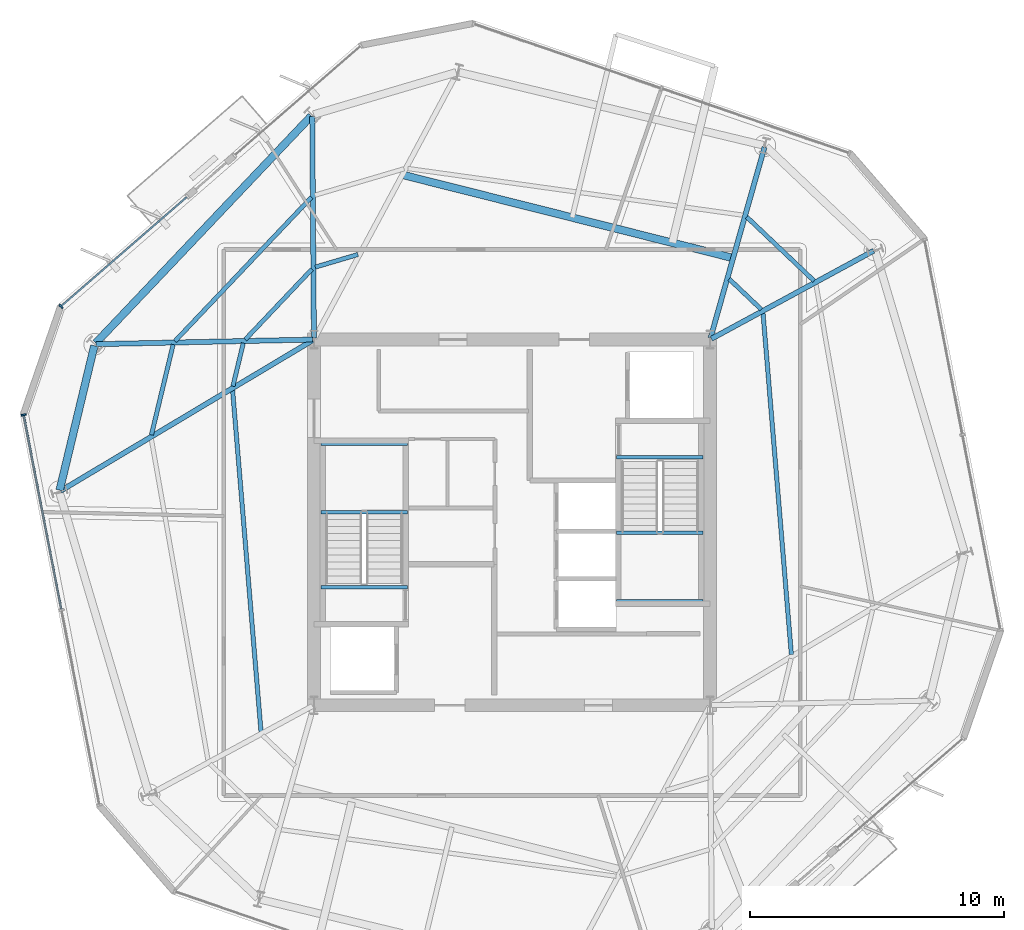
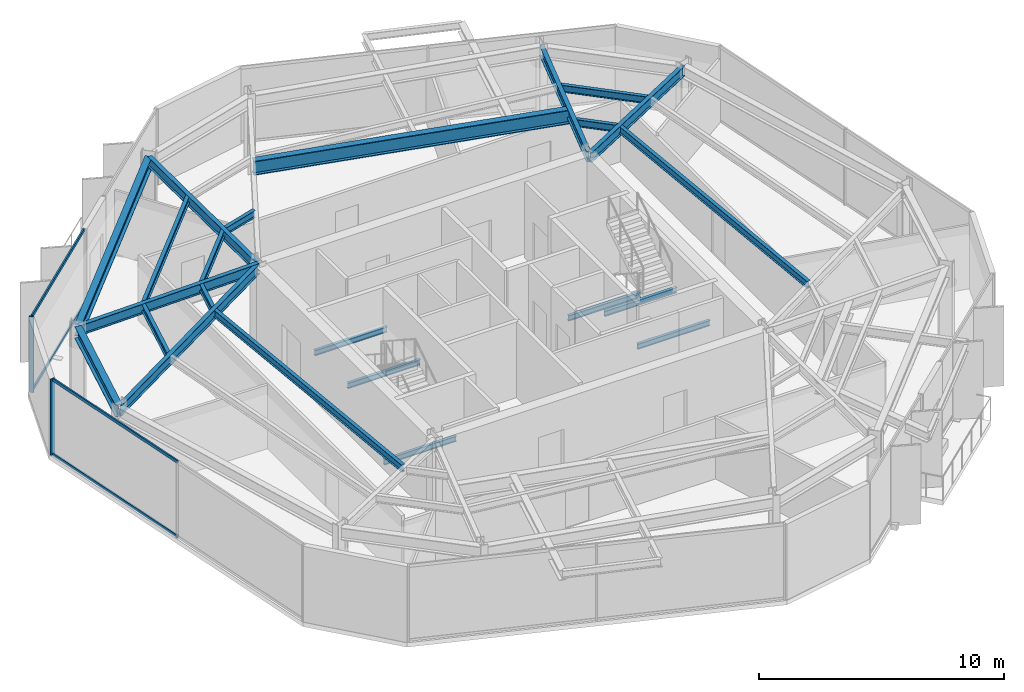
# One storey, part 3 of 11: 23 beams, 6 members, 2 elements without a shape of their own.
"""IFC4 building model written with IfcOpenShell, lengths in metres."""

from ifc_helpers import new_model, si_unit, direction, frame, origin, origin_2d, place, context, subcontext, project, spatial, rectangle, i_section, extrude, material, layer, layer_set, material_profile, profile_set, type_object, element, aggregate, save


model = new_model("IFC4")

# Units and contexts
model_context = context("Model", 3, precision=1e-05, world=origin(), true_north=direction((0.0, 1.0)))
body_context = subcontext(model_context, "Body", "Model", "MODEL_VIEW")
ifc_project = project(units=[si_unit("LENGTHUNIT", "METRE"), si_unit("AREAUNIT", "SQUARE_METRE"), si_unit("VOLUMEUNIT", "CUBIC_METRE"), si_unit("PLANEANGLEUNIT", "RADIAN"), si_unit("MASSUNIT", "GRAM", prefix="KILO")], contexts=[model_context])

# Site, building, storey
site_placement = place(None, origin())
site = spatial("IfcSite", under=ifc_project, at=site_placement, CompositionType="ELEMENT")
building_placement = place(site_placement, origin())
building = spatial("IfcBuilding", under=site, at=building_placement, Name="Kranzbogen Civic Tower", CompositionType="ELEMENT")
storey_placement = place(building_placement, frame((0.0, 0.0, 188.800048828125)))
storey = spatial("IfcBuildingStorey", under=building, at=storey_placement, Name="L45", CompositionType="ELEMENT", Elevation=188.800048828125)

# Curtain wall, member
ifc_material_1 = material(Name="Pale Anodised Aluminium", Category="aluminium")
ifc_layer = layer(ifc_material_1, 0.219970703125, Name="Pale Anodised Aluminium")
ifc_layer_set = layer_set([ifc_layer], Name="Pale Anodised Aluminium")
curtain_wall_type = type_object("IfcCurtainWallType", Name="Zone 3 Stick Curtain Wall System CW-04", PredefinedType="USERDEFINED", material=ifc_layer_set)
curtain_wall_1_placement = place(storey_placement, origin())
curtain_wall_1 = element("IfcCurtainWall", 1, at=curtain_wall_1_placement, inside=storey, type_object=curtain_wall_type, Name="L45 curtain wall CW-L45-F2-S2", ObjectType="STICK CURTAIN WALL", PredefinedType="USERDEFINED")
ifc_material_profile_1 = material_profile(ifc_material_1, rectangle(XDim=0.070068359375, YDim=0.199951171875, at=origin_2d()), Name="ALU-M 70x200")
ifc_profile_set_1 = profile_set([ifc_material_profile_1], Name="Pale Anodised Aluminium")
member_type_1 = type_object("IfcMemberType", Name="Curtain Wall Mullion ALU-M 70x200", PredefinedType="MULLION", material=ifc_profile_set_1)
member_1_placement = place(storey_placement, frame((7.238525390625, 33.505615234375, 0.0), z_axis=(0.0, 0.0, 1.0), x_axis=(-0.754741368162, -0.65602245936, 0.0)))
member_1 = element("IfcMember", 2, at=member_1_placement, type_object=member_type_1, Name="CW-04 mullion 2", PredefinedType="MULLION", context=body_context, shape_type="SweptSolid", body=[
    extrude(rectangle(XDim=0.070068359375, YDim=0.199951171875, at=origin_2d()), origin(), (0.0, 0.0, 1.0), 3.780029296875),
])

curtain_wall_2_placement = place(storey_placement, origin())
curtain_wall_2 = element("IfcCurtainWall", 3, at=curtain_wall_2_placement, inside=storey, type_object=curtain_wall_type, Name="L45 curtain wall CW-L45-F3", ObjectType="STICK CURTAIN WALL", PredefinedType="USERDEFINED")
member_2_placement = place(storey_placement, frame((5.767822265625, 29.232666015625, 0.0), z_axis=(0.0, 0.0, 1.0), x_axis=(0.190787871215, -0.981631289333, 0.0)))
member_2 = element("IfcMember", 4, at=member_2_placement, type_object=member_type_1, Name="CW-04 mullion 1", PredefinedType="MULLION", context=body_context, shape_type="SweptSolid", body=[
    extrude(rectangle(XDim=0.070068359375, YDim=0.199951171875, at=origin_2d()), origin(), (0.0, 0.0, 1.0), 3.780029296875),
])

# Member
ifc_material_profile_2 = material_profile(ifc_material_1, rectangle(XDim=0.070068359375, YDim=0.14990234375, at=origin_2d()), Name="ALU-T 70x150")
ifc_profile_set_2 = profile_set([ifc_material_profile_2], Name="Pale Anodised Aluminium")
member_type_2 = type_object("IfcMemberType", Name="Curtain Wall Transom ALU-T 70x150", PredefinedType="USERDEFINED", material=ifc_profile_set_2)
member_3_placement = place(storey_placement, frame((12.193603515625, 37.812744140625, 0.030029296875), z_axis=(-0.754731775438, -0.656033495444, 0.0), x_axis=(0.656033495444, -0.754731775438, 0.0)))
member_3 = element("IfcMember", 5, at=member_3_placement, type_object=member_type_2, Name="CW-04 transom 1.1", ObjectType="TRANSOM", PredefinedType="USERDEFINED", context=body_context, shape_type="SweptSolid", body=[
    extrude(rectangle(XDim=0.070068359375, YDim=0.14990234375, at=origin_2d()), origin(), (0.0, 0.0, 1.0), 6.53515625),
])

member_4_placement = place(storey_placement, frame((12.193603515625, 37.812744140625, 3.75), z_axis=(-0.754731775438, -0.656033495444, 0.0), x_axis=(0.656033495444, -0.754731775438, 0.0)))
member_4 = element("IfcMember", 6, at=member_4_placement, type_object=member_type_2, Name="CW-04 transom 1.2", ObjectType="TRANSOM", PredefinedType="USERDEFINED", context=body_context, shape_type="SweptSolid", body=[
    extrude(rectangle(XDim=0.070068359375, YDim=0.14990234375, at=origin_2d()), origin(), (0.0, 0.0, 1.0), 6.53515625),
])

aggregate(curtain_wall_1, [member_1, member_3, member_4])

member_5_placement = place(storey_placement, frame((5.7734375, 29.203125, 0.030029296875), z_axis=(0.190804011394, -0.981628152223, 0.0), x_axis=(0.981628152223, 0.190804011394, 0.0)))
member_5 = element("IfcMember", 7, at=member_5_placement, type_object=member_type_2, Name="CW-04 transom 1.1", ObjectType="TRANSOM", PredefinedType="USERDEFINED", context=body_context, shape_type="SweptSolid", body=[
    extrude(rectangle(XDim=0.070068359375, YDim=0.14990234375, at=origin_2d()), origin(), (0.0, 0.0, 1.0), 7.76416015625),
])

member_6_placement = place(storey_placement, frame((5.7734375, 29.203125, 3.75), z_axis=(0.190804011394, -0.981628152223, 0.0), x_axis=(0.981628152223, 0.190804011394, 0.0)))
member_6 = element("IfcMember", 8, at=member_6_placement, type_object=member_type_2, Name="CW-04 transom 1.2", ObjectType="TRANSOM", PredefinedType="USERDEFINED", context=body_context, shape_type="SweptSolid", body=[
    extrude(rectangle(XDim=0.070068359375, YDim=0.14990234375, at=origin_2d()), origin(), (0.0, 0.0, 1.0), 7.76416015625),
])

aggregate(curtain_wall_2, [member_2, member_5, member_6])

# Beams
ifc_material_2 = material(Name="Steel S355", Category="steel")
ifc_material_profile_3 = material_profile(ifc_material_2, i_section(OverallWidth=0.300048828125, OverallDepth=0.60009765625, WebThickness=0.015380859375, FlangeThickness=0.030029296875, at=origin_2d()), Name="HEB 600")
ifc_profile_set_3 = profile_set([ifc_material_profile_3], Name="Steel S355")
beam_type_1 = type_object("IfcBeamType", Name="Perimeter Tube Spandrel Beam HEB 600", PredefinedType="SPANDREL", material=ifc_profile_set_3)
beam_1_placement = place(storey_placement, frame((17.092041015625, 41.0, 3.47998046875), z_axis=(-0.688373497874, -0.725356414065, 0.0), x_axis=(0.725356414065, -0.688373497874, 0.0)))
element("IfcBeam", 9, at=beam_1_placement, inside=storey, type_object=beam_type_1, Name="L45 perimeter spandrel beam 10", PredefinedType="SPANDREL", context=body_context, shape_type="SweptSolid", body=[
    extrude(i_section(OverallWidth=0.300048828125, OverallDepth=0.60009765625, WebThickness=0.015380859375, FlangeThickness=0.030029296875, at=origin_2d()), origin(), (0.0, 0.0, 1.0), 12.324951171875),
])
beam_2_placement = place(storey_placement, frame((8.552978515625, 31.9580078125, 3.47998046875), z_axis=(-0.233554380434, -0.972343741369, 0.0), x_axis=(0.972343741369, -0.233554380434, 0.0)))
element("IfcBeam", 10, at=beam_2_placement, inside=storey, type_object=beam_type_1, Name="L45 perimeter spandrel beam 11", PredefinedType="SPANDREL", context=body_context, shape_type="SweptSolid", body=[
    extrude(i_section(OverallWidth=0.300048828125, OverallDepth=0.60009765625, WebThickness=0.015380859375, FlangeThickness=0.030029296875, at=origin_2d()), origin(), (0.0, 0.0, 1.0), 5.852783203125),
])
ifc_material_profile_4 = material_profile(ifc_material_2, i_section(OverallWidth=0.300048828125, OverallDepth=0.699951171875, WebThickness=0.01708984375, FlangeThickness=0.031982421875, at=origin_2d()), Name="HEB 700")
ifc_profile_set_4 = profile_set([ifc_material_profile_4], Name="Steel S355")
beam_type_2 = type_object("IfcBeamType", Name="Perimeter Tube Spandrel Beam HEB 700", PredefinedType="SPANDREL", material=ifc_profile_set_4)
beam_3_placement = place(storey_placement, frame((33.7080078125, 35.408935546875, 3.39990234375), z_axis=(-0.969754167823, 0.244083702834, 0.0), x_axis=(-0.244083702834, -0.969754167823, 0.0)))
element("IfcBeam", 11, at=beam_3_placement, inside=storey, type_object=beam_type_2, Name="L46 balcony back-span header girder L46-TB1", PredefinedType="SPANDREL", context=body_context, shape_type="SweptSolid", body=[
    extrude(i_section(OverallWidth=0.300048828125, OverallDepth=0.699951171875, WebThickness=0.01708984375, FlangeThickness=0.031982421875, at=origin_2d()), origin(), (0.0, 0.0, 1.0), 13.43017578125),
])
ifc_material_profile_5 = material_profile(ifc_material_2, i_section(OverallWidth=0.199951171875, OverallDepth=0.5, WebThickness=0.01025390625, FlangeThickness=0.01611328125, at=origin_2d()), Name="IPE 500")
ifc_profile_set_5 = profile_set([ifc_material_profile_5], Name="Steel S355")
beam_type_3 = type_object("IfcBeamType", Name="Radial Tower Floor Girder IPE 500", PredefinedType="BEAM", material=ifc_profile_set_5)
beam_4_placement = place(storey_placement, frame((39.239990234375, 35.695068359375, 3.530029296875), z_axis=(-0.878919430102, -0.476970266777, 0.0), x_axis=(0.476970266777, -0.878919430102, 0.0)))
element("IfcBeam", 12, at=beam_4_placement, inside=storey, type_object=beam_type_3, Name="L45 radial floor girder 07", PredefinedType="BEAM", context=body_context, shape_type="SweptSolid", body=[
    extrude(i_section(OverallWidth=0.199951171875, OverallDepth=0.5, WebThickness=0.01025390625, FlangeThickness=0.01611328125, at=origin_2d()), origin(), (0.0, 0.0, 1.0), 7.266845703125),
])
beam_5_placement = place(storey_placement, frame((34.945068359375, 39.777099609375, 3.530029296875), z_axis=(-0.272455078988, -0.962168503919, 0.0), x_axis=(0.962168503919, -0.272455078988, 0.0)))
element("IfcBeam", 13, at=beam_5_placement, inside=storey, type_object=beam_type_3, Name="L45 radial floor girder 08", PredefinedType="BEAM", context=body_context, shape_type="SweptSolid", body=[
    extrude(i_section(OverallWidth=0.199951171875, OverallDepth=0.5, WebThickness=0.01025390625, FlangeThickness=0.01611328125, at=origin_2d()), origin(), (0.0, 0.0, 1.0), 7.814697265625),
])
beam_6_placement = place(storey_placement, frame((17.133056640625, 40.98388671875, 3.530029296875), z_axis=(0.007667756557, -0.999970602323, 0.0), x_axis=(0.999970602323, 0.007667756557, 0.0)))
element("IfcBeam", 14, at=beam_6_placement, inside=storey, type_object=beam_type_3, Name="L45 radial floor girder 10", PredefinedType="BEAM", context=body_context, shape_type="SweptSolid", body=[
    extrude(i_section(OverallWidth=0.199951171875, OverallDepth=0.5, WebThickness=0.01025390625, FlangeThickness=0.01611328125, at=origin_2d()), origin(), (0.0, 0.0, 1.0), 8.72412109375),
])
beam_7_placement = place(storey_placement, frame((8.626953125, 32.01708984375, 3.530029296875), z_axis=(0.99977183191, 0.021360808018, 0.0), x_axis=(-0.021360808018, 0.99977183191, 0.0)))
element("IfcBeam", 15, at=beam_7_placement, inside=storey, type_object=beam_type_3, Name="L45 radial floor girder 11", PredefinedType="BEAM", context=body_context, shape_type="SweptSolid", body=[
    extrude(i_section(OverallWidth=0.199951171875, OverallDepth=0.5, WebThickness=0.01025390625, FlangeThickness=0.01611328125, at=origin_2d()), origin(), (0.0, 0.0, 1.0), 8.514892578125),
])
beam_8_placement = place(storey_placement, frame((7.22412109375, 26.239990234375, 3.530029296875), z_axis=(0.858458551809, 0.512882944565, 0.0), x_axis=(-0.512882944565, 0.858458551809, 0.0)))
element("IfcBeam", 16, at=beam_8_placement, inside=storey, type_object=beam_type_3, Name="L45 radial floor girder 12", PredefinedType="BEAM", context=body_context, shape_type="SweptSolid", body=[
    extrude(i_section(OverallWidth=0.199951171875, OverallDepth=0.5, WebThickness=0.01025390625, FlangeThickness=0.01611328125, at=origin_2d()), origin(), (0.0, 0.0, 1.0), 11.56005859375),
])
ifc_material_profile_6 = material_profile(ifc_material_2, i_section(OverallWidth=0.169921875, OverallDepth=0.360107421875, WebThickness=0.008056640625, FlangeThickness=0.0126953125, at=origin_2d()), Name="IPE 360")
ifc_profile_set_6 = profile_set([ifc_material_profile_6], Name="Steel S355")
beam_type_4 = type_object("IfcBeamType", Name="Secondary Composite Floor Joist IPE 360", PredefinedType="JOIST", material=ifc_profile_set_6)
beam_9_placement = place(storey_placement, frame((36.001953125, 19.797119140625, 3.599853515625), z_axis=(-0.082825426692, 0.996564071544, 0.0), x_axis=(-0.996564071544, -0.082825426692, 0.0)))
element("IfcBeam", 17, at=beam_9_placement, inside=storey, type_object=beam_type_4, Name="L45 secondary floor joist 2.06", PredefinedType="JOIST", context=body_context, shape_type="SweptSolid", body=[
    extrude(i_section(OverallWidth=0.169921875, OverallDepth=0.360107421875, WebThickness=0.008056640625, FlangeThickness=0.0126953125, at=origin_2d()), origin(), (0.0, 0.0, 1.0), 13.497314453125),
])
beam_10_placement = place(storey_placement, frame((36.89697265625, 34.510009765625, 3.599853515625), z_axis=(-0.725300648604, 0.688432254572, 0.0), x_axis=(-0.688432254572, -0.725300648604, 0.0)))
element("IfcBeam", 18, at=beam_10_placement, inside=storey, type_object=beam_type_4, Name="L45 secondary floor joist 1.07", PredefinedType="JOIST", context=body_context, shape_type="SweptSolid", body=[
    extrude(i_section(OverallWidth=0.169921875, OverallDepth=0.360107421875, WebThickness=0.008056640625, FlangeThickness=0.0126953125, at=origin_2d()), origin(), (0.0, 0.0, 1.0), 3.661865234375),
])
beam_11_placement = place(storey_placement, frame((34.820068359375, 33.383056640625, 3.599853515625), z_axis=(-0.725479767774, 0.688243493649, 0.0), x_axis=(-0.688243493649, -0.725479767774, 0.0)))
element("IfcBeam", 19, at=beam_11_placement, inside=storey, type_object=beam_type_4, Name="L45 secondary floor joist 2.07", PredefinedType="JOIST", context=body_context, shape_type="SweptSolid", body=[
    extrude(i_section(OverallWidth=0.169921875, OverallDepth=0.360107421875, WebThickness=0.008056640625, FlangeThickness=0.0126953125, at=origin_2d()), origin(), (0.0, 0.0, 1.0), 1.75048828125),
])
beam_12_placement = place(storey_placement, frame((18.93408203125, 35.550048828125, 3.599853515625), z_axis=(-0.958871214757, -0.283841493638, 0.0), x_axis=(0.283841493638, -0.958871214757, 0.0)))
element("IfcBeam", 20, at=beam_12_placement, inside=storey, type_object=beam_type_4, Name="L45 secondary floor joist 2.09", PredefinedType="JOIST", context=body_context, shape_type="SweptSolid", body=[
    extrude(i_section(OverallWidth=0.169921875, OverallDepth=0.360107421875, WebThickness=0.008056640625, FlangeThickness=0.0126953125, at=origin_2d()), origin(), (0.0, 0.0, 1.0), 1.751220703125),
])
beam_13_placement = place(storey_placement, frame((17.10205078125, 37.802001953125, 3.599853515625), z_axis=(-0.688282381634, -0.725442873789, 0.0), x_axis=(0.725442873789, -0.688282381634, 0.0)))
element("IfcBeam", 21, at=beam_13_placement, inside=storey, type_object=beam_type_4, Name="L45 secondary floor joist 1.10", PredefinedType="JOIST", context=body_context, shape_type="SweptSolid", body=[
    extrude(i_section(OverallWidth=0.169921875, OverallDepth=0.360107421875, WebThickness=0.008056640625, FlangeThickness=0.0126953125, at=origin_2d()), origin(), (0.0, 0.0, 1.0), 7.804931640625),
])
beam_14_placement = place(storey_placement, frame((17.123046875, 34.971923828125, 3.599853515625), z_axis=(-0.688175084876, -0.725544659243, 0.0), x_axis=(0.725544659243, -0.688175084876, 0.0)))
element("IfcBeam", 22, at=beam_14_placement, inside=storey, type_object=beam_type_4, Name="L45 secondary floor joist 2.10", PredefinedType="JOIST", context=body_context, shape_type="SweptSolid", body=[
    extrude(i_section(OverallWidth=0.169921875, OverallDepth=0.360107421875, WebThickness=0.008056640625, FlangeThickness=0.0126953125, at=origin_2d()), origin(), (0.0, 0.0, 1.0), 3.82177734375),
])
beam_15_placement = place(storey_placement, frame((11.656005859375, 32.00390625, 3.599853515625), z_axis=(-0.233534367714, -0.972348548154, 0.0), x_axis=(0.972348548154, -0.233534367714, 0.0)))
element("IfcBeam", 23, at=beam_15_placement, inside=storey, type_object=beam_type_4, Name="L45 secondary floor joist 1.11", PredefinedType="JOIST", context=body_context, shape_type="SweptSolid", body=[
    extrude(i_section(OverallWidth=0.169921875, OverallDepth=0.360107421875, WebThickness=0.008056640625, FlangeThickness=0.0126953125, at=origin_2d()), origin(), (0.0, 0.0, 1.0), 3.6611328125),
])
beam_16_placement = place(storey_placement, frame((14.4189453125, 32.06298828125, 3.599853515625), z_axis=(-0.233631438607, -0.972325228972, 0.0), x_axis=(0.972325228972, -0.233631438607, 0.0)))
element("IfcBeam", 24, at=beam_16_placement, inside=storey, type_object=beam_type_4, Name="L45 secondary floor joist 2.11", PredefinedType="JOIST", context=body_context, shape_type="SweptSolid", body=[
    extrude(i_section(OverallWidth=0.169921875, OverallDepth=0.360107421875, WebThickness=0.008056640625, FlangeThickness=0.0126953125, at=origin_2d()), origin(), (0.0, 0.0, 1.0), 1.750244140625),
])
beam_17_placement = place(storey_placement, frame((13.998046875, 30.202880859375, 3.599853515625), z_axis=(0.082825426692, -0.996564071544, 0.0), x_axis=(0.996564071544, 0.082825426692, 0.0)))
element("IfcBeam", 25, at=beam_17_placement, inside=storey, type_object=beam_type_4, Name="L45 secondary floor joist 2.12", PredefinedType="JOIST", context=body_context, shape_type="SweptSolid", body=[
    extrude(i_section(OverallWidth=0.169921875, OverallDepth=0.360107421875, WebThickness=0.008056640625, FlangeThickness=0.0126953125, at=origin_2d()), origin(), (0.0, 0.0, 1.0), 13.497314453125),
])
ifc_material_profile_7 = material_profile(ifc_material_2, i_section(OverallWidth=0.135009765625, OverallDepth=0.27001953125, WebThickness=0.006591796875, FlangeThickness=0.01025390625, at=origin_2d()), Name="IPE 270")
ifc_profile_set_7 = profile_set([ifc_material_profile_7], Name="Steel S355")
beam_type_5 = type_object("IfcBeamType", Name="Stair Landing Support Beam IPE 270", PredefinedType="JOIST", material=ifc_profile_set_7)
for number, where, z_axis, x_axis, name in (
    (26, (20.8798828125, 22.43994140625, -0.35498046875), (-1.0, 0.0, 0.0), (0.0, -1.0, 0.0), "L45 ST-T1 stair floor header beam"),
    (27, (20.8798828125, 25.39990234375, 1.6650390625), (-1.0, 0.0, 0.0), (0.0, -1.0, 0.0), "L45 ST-T1 landing support beam 1.1"),
    (28, (20.8798828125, 28.10009765625, 1.6650390625), (-1.0, 0.0, 0.0), (0.0, -1.0, 0.0), "L45 ST-T1 landing support beam 1.2"),
    (29, (29.1201171875, 27.56005859375, -0.35498046875), (1.0, 0.0, 0.0), (0.0, 1.0, 0.0), "L45 ST-T2 stair floor header beam"),
    (30, (29.1201171875, 24.60009765625, 1.6650390625), (1.0, 0.0, 0.0), (0.0, 1.0, 0.0), "L45 ST-T2 landing support beam 1.1"),
    (31, (29.1201171875, 21.89990234375, 1.6650390625), (1.0, 0.0, 0.0), (0.0, 1.0, 0.0), "L45 ST-T2 landing support beam 1.2"),
):
    element("IfcBeam", number, at=place(storey_placement, frame(where, z_axis=z_axis, x_axis=x_axis)), inside=storey, type_object=beam_type_5, Name=name, PredefinedType="JOIST", context=body_context, shape_type="SweptSolid", body=[
        extrude(i_section(OverallWidth=0.135009765625, OverallDepth=0.27001953125, WebThickness=0.006591796875, FlangeThickness=0.01025390625, at=origin_2d()), origin(), (0.0, 0.0, 1.0), 3.409912109375),
    ])

save(model, "model.ifc")
